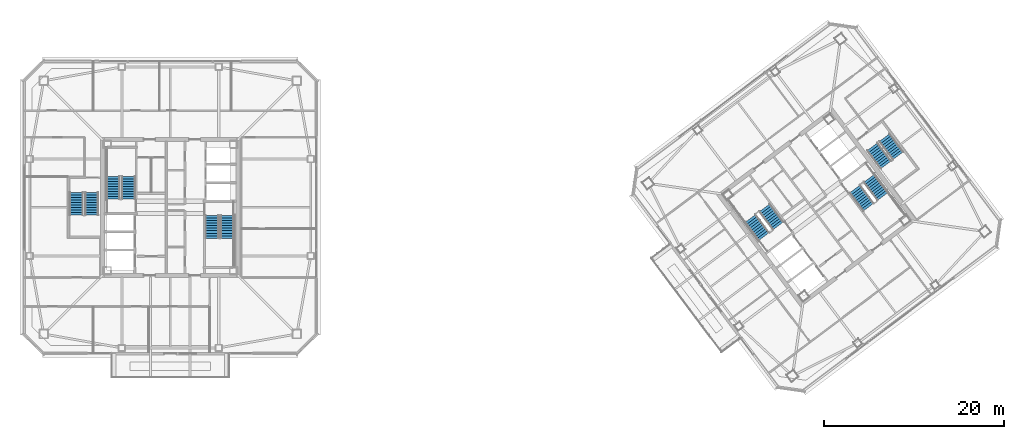
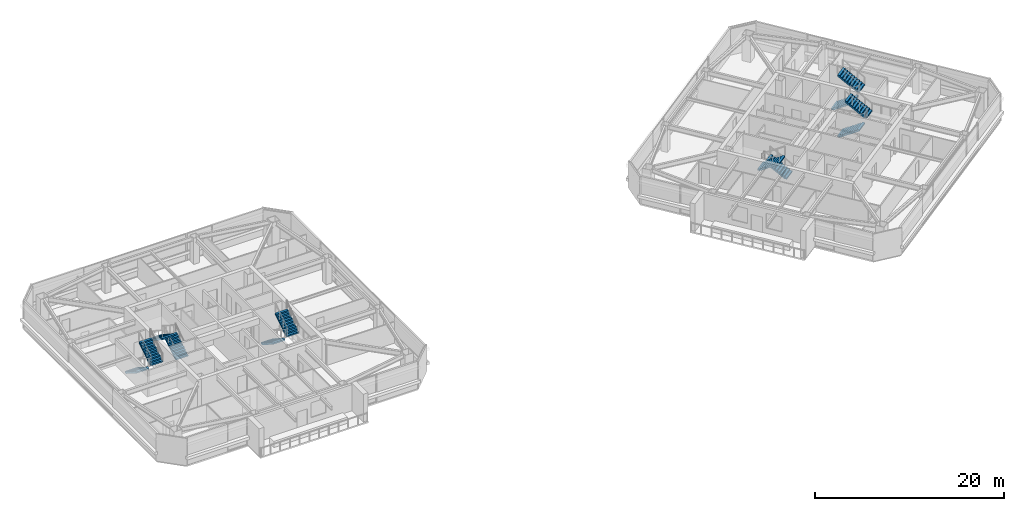
# One storey, part 33 of 39: 12 stair flights, 6 elements without a shape of their own.
"""IFC4 building model written with IfcOpenShell, lengths in metres."""

from ifc_helpers import new_model, si_unit, direction, frame, origin, place, context, subcontext, project, spatial, polyline, outline, extrude, material, type_object, element, aggregate, save


model = new_model("IFC4")

# Units and contexts
model_context = context("Model", 3, precision=1e-05, world=origin(), true_north=direction((0.0, 1.0)))
body_context = subcontext(model_context, "Body", "Model", "MODEL_VIEW")
ifc_project = project(units=[si_unit("LENGTHUNIT", "METRE"), si_unit("AREAUNIT", "SQUARE_METRE"), si_unit("VOLUMEUNIT", "CUBIC_METRE"), si_unit("PLANEANGLEUNIT", "RADIAN"), si_unit("MASSUNIT", "GRAM", prefix="KILO")], contexts=[model_context])

# Site, building, storey
site_placement = place(None, origin())
site = spatial("IfcSite", under=ifc_project, at=site_placement, CompositionType="ELEMENT")
building_placement = place(site_placement, origin())
building = spatial("IfcBuilding", under=site, at=building_placement, Name="Tashvorn Skyway Center", CompositionType="ELEMENT")
storey_placement = place(building_placement, frame((0.0, 0.0, 225.5)))
storey = spatial("IfcBuildingStorey", under=building, at=storey_placement, Name="L61", CompositionType="ELEMENT", Elevation=225.5)

# Stair, stair flights
ifc_material = material(Name="Concrete C40/50", Category="concrete")
stair_type = type_object("IfcStairType", Name="STAIR-CORE-1500", PredefinedType="HALF_TURN_STAIR", material=ifc_material)
stair_1_placement = place(storey_placement, origin())
stair_1 = element("IfcStair", 1, at=stair_1_placement, inside=storey, type_object=stair_type, Name="L61 Tower 1 Exit Stair 1", PredefinedType="HALF_TURN_STAIR")
stair_flight_type = type_object("IfcStairFlightType", Name="SFLIGHT-1500", PredefinedType="STRAIGHT", material=ifc_material)
stair_flight_1_placement = place(storey_placement, frame((37.35009765625, 32.919921875, 0.0), z_axis=(0.0, 0.0, 1.0), x_axis=(0.0, 1.0, 0.0)))
stair_flight_1 = element("IfcStairFlight", 2, at=stair_flight_1_placement, type_object=stair_flight_type, Name="ST-T1-1 flight 1", NumberOfRisers=10, NumberOfTreads=9, PredefinedType="STRAIGHT", RiserHeight=0.1775, TreadLength=0.28, context=body_context, shape_type="SweptSolid", body=[
    extrude(outline(polyline([(0.0, 0.0), (0.0, 0.177490234375), (0.280029296875, 0.177490234375), (0.280029296875, 0.35498046875), (0.56005859375, 0.35498046875), (0.56005859375, 0.532470703125), (0.840087890625, 0.532470703125), (0.840087890625, 0.7099609375), (1.1201171875, 0.7099609375), (1.1201171875, 0.887451171875), (1.39990234375, 0.887451171875), (1.39990234375, 1.06494140625), (1.679931640625, 1.06494140625), (1.679931640625, 1.242431640625), (1.9599609375, 1.242431640625), (1.9599609375, 1.419921875), (2.239990234375, 1.419921875), (2.239990234375, 1.597412109375), (2.52001953125, 1.597412109375), (2.52001953125, 1.77490234375), (2.52001953125, 1.419921875), (0.280029296875, 0.0), (0.0, 0.0)])), frame((0.0, 0.75, 0.0), z_axis=(0.0, -1.0, 0.0), x_axis=(1.0, 0.0, 0.0)), (0.0, 0.0, 1.0), 1.5),
])
stair_flight_2_placement = place(storey_placement, frame((35.64990234375, 35.43994140625, 1.77490234375), z_axis=(0.0, 0.0, 1.0), x_axis=(0.0, -1.0, 0.0)))
stair_flight_2 = element("IfcStairFlight", 3, at=stair_flight_2_placement, type_object=stair_flight_type, Name="ST-T1-1 flight 2", NumberOfRisers=10, NumberOfTreads=9, PredefinedType="STRAIGHT", RiserHeight=0.1775, TreadLength=0.28, context=body_context, shape_type="SweptSolid", body=[
    extrude(outline(polyline([(0.0, 0.0), (0.0, 0.177490234375), (0.280029296875, 0.177490234375), (0.280029296875, 0.35498046875), (0.56005859375, 0.35498046875), (0.56005859375, 0.532470703125), (0.840087890625, 0.532470703125), (0.840087890625, 0.7099609375), (1.1201171875, 0.7099609375), (1.1201171875, 0.887451171875), (1.39990234375, 0.887451171875), (1.39990234375, 1.06494140625), (1.679931640625, 1.06494140625), (1.679931640625, 1.242431640625), (1.9599609375, 1.242431640625), (1.9599609375, 1.419921875), (2.239990234375, 1.419921875), (2.239990234375, 1.597412109375), (2.52001953125, 1.597412109375), (2.52001953125, 1.77490234375), (2.52001953125, 1.419921875), (0.280029296875, 0.0), (0.0, 0.0)])), frame((0.0, 0.75, 0.0), z_axis=(0.0, -1.0, 0.0), x_axis=(1.0, 0.0, 0.0)), (0.0, 0.0, 1.0), 1.5),
])
aggregate(stair_1, [stair_flight_1, stair_flight_2])

stair_2_placement = place(storey_placement, origin())
stair_2 = element("IfcStair", 4, at=stair_2_placement, inside=storey, type_object=stair_type, Name="L61 Tower 1 Exit Stair 2", PredefinedType="HALF_TURN_STAIR")
stair_flight_3_placement = place(storey_placement, frame((46.64990234375, 31.080078125, 0.0), z_axis=(0.0, 0.0, 1.0), x_axis=(0.0, -1.0, 0.0)))
stair_flight_3 = element("IfcStairFlight", 5, at=stair_flight_3_placement, type_object=stair_flight_type, Name="ST-T1-2 flight 1", NumberOfRisers=10, NumberOfTreads=9, PredefinedType="STRAIGHT", RiserHeight=0.1775, TreadLength=0.28, context=body_context, shape_type="SweptSolid", body=[
    extrude(outline(polyline([(0.0, 0.0), (0.0, 0.177490234375), (0.280029296875, 0.177490234375), (0.280029296875, 0.35498046875), (0.56005859375, 0.35498046875), (0.56005859375, 0.532470703125), (0.840087890625, 0.532470703125), (0.840087890625, 0.7099609375), (1.1201171875, 0.7099609375), (1.1201171875, 0.887451171875), (1.39990234375, 0.887451171875), (1.39990234375, 1.06494140625), (1.679931640625, 1.06494140625), (1.679931640625, 1.242431640625), (1.9599609375, 1.242431640625), (1.9599609375, 1.419921875), (2.239990234375, 1.419921875), (2.239990234375, 1.597412109375), (2.52001953125, 1.597412109375), (2.52001953125, 1.77490234375), (2.52001953125, 1.419921875), (0.280029296875, 0.0), (0.0, 0.0)])), frame((0.0, 0.75, 0.0), z_axis=(0.0, -1.0, 0.0), x_axis=(1.0, 0.0, 0.0)), (0.0, 0.0, 1.0), 1.5),
])
stair_flight_4_placement = place(storey_placement, frame((48.35009765625, 28.56005859375, 1.77490234375), z_axis=(0.0, 0.0, 1.0), x_axis=(0.0, 1.0, 0.0)))
stair_flight_4 = element("IfcStairFlight", 6, at=stair_flight_4_placement, type_object=stair_flight_type, Name="ST-T1-2 flight 2", NumberOfRisers=10, NumberOfTreads=9, PredefinedType="STRAIGHT", RiserHeight=0.1775, TreadLength=0.28, context=body_context, shape_type="SweptSolid", body=[
    extrude(outline(polyline([(0.0, 0.0), (0.0, 0.177490234375), (0.280029296875, 0.177490234375), (0.280029296875, 0.35498046875), (0.56005859375, 0.35498046875), (0.56005859375, 0.532470703125), (0.840087890625, 0.532470703125), (0.840087890625, 0.7099609375), (1.1201171875, 0.7099609375), (1.1201171875, 0.887451171875), (1.39990234375, 0.887451171875), (1.39990234375, 1.06494140625), (1.679931640625, 1.06494140625), (1.679931640625, 1.242431640625), (1.9599609375, 1.242431640625), (1.9599609375, 1.419921875), (2.239990234375, 1.419921875), (2.239990234375, 1.597412109375), (2.52001953125, 1.597412109375), (2.52001953125, 1.77490234375), (2.52001953125, 1.419921875), (0.280029296875, 0.0), (0.0, 0.0)])), frame((0.0, 0.75, 0.0), z_axis=(0.0, -1.0, 0.0), x_axis=(1.0, 0.0, 0.0)), (0.0, 0.0, 1.0), 1.5),
])
aggregate(stair_2, [stair_flight_3, stair_flight_4])

stair_3_placement = place(storey_placement, origin())
stair_3 = element("IfcStair", 7, at=stair_3_placement, inside=storey, type_object=stair_type, Name="L61 Tower 2 Exit Stair 1", PredefinedType="HALF_TURN_STAIR")
stair_flight_5_placement = place(storey_placement, frame((109.72802734375, 29.946044921875, 0.0), z_axis=(0.0, 0.0, 1.0), x_axis=(-0.600000004945, 0.799999996291, 0.0)))
stair_flight_5 = element("IfcStairFlight", 8, at=stair_flight_5_placement, type_object=stair_flight_type, Name="ST-T2-1 flight 1", NumberOfRisers=10, NumberOfTreads=9, PredefinedType="STRAIGHT", RiserHeight=0.1775, TreadLength=0.28, context=body_context, shape_type="SweptSolid", body=[
    extrude(outline(polyline([(0.0, 0.0), (0.0, 0.177490234375), (0.280029296875, 0.177490234375), (0.280029296875, 0.35498046875), (0.56005859375, 0.35498046875), (0.56005859375, 0.532470703125), (0.840087890625, 0.532470703125), (0.840087890625, 0.7099609375), (1.1201171875, 0.7099609375), (1.1201171875, 0.887451171875), (1.39990234375, 0.887451171875), (1.39990234375, 1.06494140625), (1.679931640625, 1.06494140625), (1.679931640625, 1.242431640625), (1.9599609375, 1.242431640625), (1.9599609375, 1.419921875), (2.239990234375, 1.419921875), (2.239990234375, 1.597412109375), (2.52001953125, 1.597412109375), (2.52001953125, 1.77490234375), (2.52001953125, 1.419921875), (0.280029296875, 0.0), (0.0, 0.0)])), frame((0.0, 0.75, 0.0), z_axis=(0.0, -1.0, 0.0), x_axis=(1.0, 0.0, 0.0)), (0.0, 0.0, 1.0), 1.5),
])
stair_flight_6_placement = place(storey_placement, frame((106.632080078125, 30.77392578125, 1.77490234375), z_axis=(0.0, 0.0, 1.0), x_axis=(0.600000004945, -0.799999996291, 0.0)))
stair_flight_6 = element("IfcStairFlight", 9, at=stair_flight_6_placement, type_object=stair_flight_type, Name="ST-T2-1 flight 2", NumberOfRisers=10, NumberOfTreads=9, PredefinedType="STRAIGHT", RiserHeight=0.1775, TreadLength=0.28, context=body_context, shape_type="SweptSolid", body=[
    extrude(outline(polyline([(0.0, 0.0), (0.0, 0.177490234375), (0.280029296875, 0.177490234375), (0.280029296875, 0.35498046875), (0.56005859375, 0.35498046875), (0.56005859375, 0.532470703125), (0.840087890625, 0.532470703125), (0.840087890625, 0.7099609375), (1.1201171875, 0.7099609375), (1.1201171875, 0.887451171875), (1.39990234375, 0.887451171875), (1.39990234375, 1.06494140625), (1.679931640625, 1.06494140625), (1.679931640625, 1.242431640625), (1.9599609375, 1.242431640625), (1.9599609375, 1.419921875), (2.239990234375, 1.419921875), (2.239990234375, 1.597412109375), (2.52001953125, 1.597412109375), (2.52001953125, 1.77490234375), (2.52001953125, 1.419921875), (0.280029296875, 0.0), (0.0, 0.0)])), frame((0.0, 0.75, 0.0), z_axis=(0.0, -1.0, 0.0), x_axis=(1.0, 0.0, 0.0)), (0.0, 0.0, 1.0), 1.5),
])
aggregate(stair_3, [stair_flight_5, stair_flight_6])

stair_4_placement = place(storey_placement, origin())
stair_4 = element("IfcStair", 10, at=stair_4_placement, inside=storey, type_object=stair_type, Name="L61 Tower 2 Exit Stair 2", PredefinedType="HALF_TURN_STAIR")
stair_flight_7_placement = place(storey_placement, frame((118.27197265625, 34.053955078125, 0.0), z_axis=(0.0, 0.0, 1.0), x_axis=(0.600000004945, -0.799999996291, 0.0)))
stair_flight_7 = element("IfcStairFlight", 11, at=stair_flight_7_placement, type_object=stair_flight_type, Name="ST-T2-2 flight 1", NumberOfRisers=10, NumberOfTreads=9, PredefinedType="STRAIGHT", RiserHeight=0.1775, TreadLength=0.28, context=body_context, shape_type="SweptSolid", body=[
    extrude(outline(polyline([(0.0, 0.0), (0.0, 0.177490234375), (0.280029296875, 0.177490234375), (0.280029296875, 0.35498046875), (0.56005859375, 0.35498046875), (0.56005859375, 0.532470703125), (0.840087890625, 0.532470703125), (0.840087890625, 0.7099609375), (1.1201171875, 0.7099609375), (1.1201171875, 0.887451171875), (1.39990234375, 0.887451171875), (1.39990234375, 1.06494140625), (1.679931640625, 1.06494140625), (1.679931640625, 1.242431640625), (1.9599609375, 1.242431640625), (1.9599609375, 1.419921875), (2.239990234375, 1.419921875), (2.239990234375, 1.597412109375), (2.52001953125, 1.597412109375), (2.52001953125, 1.77490234375), (2.52001953125, 1.419921875), (0.280029296875, 0.0), (0.0, 0.0)])), frame((0.0, 0.75, 0.0), z_axis=(0.0, -1.0, 0.0), x_axis=(1.0, 0.0, 0.0)), (0.0, 0.0, 1.0), 1.5),
])
stair_flight_8_placement = place(storey_placement, frame((121.367919921875, 33.22607421875, 1.77490234375), z_axis=(0.0, 0.0, 1.0), x_axis=(-0.600000004945, 0.799999996291, 0.0)))
stair_flight_8 = element("IfcStairFlight", 12, at=stair_flight_8_placement, type_object=stair_flight_type, Name="ST-T2-2 flight 2", NumberOfRisers=10, NumberOfTreads=9, PredefinedType="STRAIGHT", RiserHeight=0.1775, TreadLength=0.28, context=body_context, shape_type="SweptSolid", body=[
    extrude(outline(polyline([(0.0, 0.0), (0.0, 0.177490234375), (0.280029296875, 0.177490234375), (0.280029296875, 0.35498046875), (0.56005859375, 0.35498046875), (0.56005859375, 0.532470703125), (0.840087890625, 0.532470703125), (0.840087890625, 0.7099609375), (1.1201171875, 0.7099609375), (1.1201171875, 0.887451171875), (1.39990234375, 0.887451171875), (1.39990234375, 1.06494140625), (1.679931640625, 1.06494140625), (1.679931640625, 1.242431640625), (1.9599609375, 1.242431640625), (1.9599609375, 1.419921875), (2.239990234375, 1.419921875), (2.239990234375, 1.597412109375), (2.52001953125, 1.597412109375), (2.52001953125, 1.77490234375), (2.52001953125, 1.419921875), (0.280029296875, 0.0), (0.0, 0.0)])), frame((0.0, 0.75, 0.0), z_axis=(0.0, -1.0, 0.0), x_axis=(1.0, 0.0, 0.0)), (0.0, 0.0, 1.0), 1.5),
])
aggregate(stair_4, [stair_flight_7, stair_flight_8])

stair_5_placement = place(storey_placement, origin())
stair_5 = element("IfcStair", 13, at=stair_5_placement, inside=storey, type_object=stair_type, Name="L61 Tower 1 Exit Stair 3", PredefinedType="HALF_TURN_STAIR")
stair_flight_9_placement = place(storey_placement, frame((31.550048828125, 33.679931640625, 0.0), z_axis=(0.0, 0.0, 1.0), x_axis=(0.0, -1.0, 0.0)))
stair_flight_9 = element("IfcStairFlight", 14, at=stair_flight_9_placement, type_object=stair_flight_type, Name="ST-T1-3 flight 1", NumberOfRisers=10, NumberOfTreads=9, PredefinedType="STRAIGHT", RiserHeight=0.1775, TreadLength=0.28, context=body_context, shape_type="SweptSolid", body=[
    extrude(outline(polyline([(0.0, 0.0), (0.0, 0.177490234375), (0.280029296875, 0.177490234375), (0.280029296875, 0.35498046875), (0.56005859375, 0.35498046875), (0.56005859375, 0.532470703125), (0.840087890625, 0.532470703125), (0.840087890625, 0.7099609375), (1.1201171875, 0.7099609375), (1.1201171875, 0.887451171875), (1.39990234375, 0.887451171875), (1.39990234375, 1.06494140625), (1.679931640625, 1.06494140625), (1.679931640625, 1.242431640625), (1.9599609375, 1.242431640625), (1.9599609375, 1.419921875), (2.239990234375, 1.419921875), (2.239990234375, 1.597412109375), (2.52001953125, 1.597412109375), (2.52001953125, 1.77490234375), (2.52001953125, 1.419921875), (0.280029296875, 0.0), (0.0, 0.0)])), frame((0.0, 0.75, 0.0), z_axis=(0.0, -1.0, 0.0), x_axis=(1.0, 0.0, 0.0)), (0.0, 0.0, 1.0), 1.5),
])
stair_flight_10_placement = place(storey_placement, frame((33.25, 31.159912109375, 1.77490234375), z_axis=(0.0, 0.0, 1.0), x_axis=(0.0, 1.0, 0.0)))
stair_flight_10 = element("IfcStairFlight", 15, at=stair_flight_10_placement, type_object=stair_flight_type, Name="ST-T1-3 flight 2", NumberOfRisers=10, NumberOfTreads=9, PredefinedType="STRAIGHT", RiserHeight=0.1775, TreadLength=0.28, context=body_context, shape_type="SweptSolid", body=[
    extrude(outline(polyline([(0.0, 0.0), (0.0, 0.177490234375), (0.280029296875, 0.177490234375), (0.280029296875, 0.35498046875), (0.56005859375, 0.35498046875), (0.56005859375, 0.532470703125), (0.840087890625, 0.532470703125), (0.840087890625, 0.7099609375), (1.1201171875, 0.7099609375), (1.1201171875, 0.887451171875), (1.39990234375, 0.887451171875), (1.39990234375, 1.06494140625), (1.679931640625, 1.06494140625), (1.679931640625, 1.242431640625), (1.9599609375, 1.242431640625), (1.9599609375, 1.419921875), (2.239990234375, 1.419921875), (2.239990234375, 1.597412109375), (2.52001953125, 1.597412109375), (2.52001953125, 1.77490234375), (2.52001953125, 1.419921875), (0.280029296875, 0.0), (0.0, 0.0)])), frame((0.0, 0.75, 0.0), z_axis=(0.0, -1.0, 0.0), x_axis=(1.0, 0.0, 0.0)), (0.0, 0.0, 1.0), 1.5),
])
aggregate(stair_5, [stair_flight_9, stair_flight_10])

stair_6_placement = place(storey_placement, origin())
stair_6 = element("IfcStair", 16, at=stair_6_placement, inside=storey, type_object=stair_type, Name="L61 Tower 2 Exit Stair 3", PredefinedType="HALF_TURN_STAIR")
stair_flight_11_placement = place(storey_placement, frame((120.216064453125, 38.761962890625, 0.0), z_axis=(0.0, 0.0, 1.0), x_axis=(0.600000004945, -0.799999996291, 0.0)))
stair_flight_11 = element("IfcStairFlight", 17, at=stair_flight_11_placement, type_object=stair_flight_type, Name="ST-T2-3 flight 1", NumberOfRisers=10, NumberOfTreads=9, PredefinedType="STRAIGHT", RiserHeight=0.1775, TreadLength=0.28, context=body_context, shape_type="SweptSolid", body=[
    extrude(outline(polyline([(0.0, 0.0), (0.0, 0.177490234375), (0.280029296875, 0.177490234375), (0.280029296875, 0.35498046875), (0.56005859375, 0.35498046875), (0.56005859375, 0.532470703125), (0.840087890625, 0.532470703125), (0.840087890625, 0.7099609375), (1.1201171875, 0.7099609375), (1.1201171875, 0.887451171875), (1.39990234375, 0.887451171875), (1.39990234375, 1.06494140625), (1.679931640625, 1.06494140625), (1.679931640625, 1.242431640625), (1.9599609375, 1.242431640625), (1.9599609375, 1.419921875), (2.239990234375, 1.419921875), (2.239990234375, 1.597412109375), (2.52001953125, 1.597412109375), (2.52001953125, 1.77490234375), (2.52001953125, 1.419921875), (0.280029296875, 0.0), (0.0, 0.0)])), frame((0.0, 0.75, 0.0), z_axis=(0.0, -1.0, 0.0), x_axis=(1.0, 0.0, 0.0)), (0.0, 0.0, 1.0), 1.5),
])
stair_flight_12_placement = place(storey_placement, frame((123.087890625, 37.76611328125, 1.77490234375), z_axis=(0.0, 0.0, 1.0), x_axis=(-0.600000004945, 0.799999996291, 0.0)))
stair_flight_12 = element("IfcStairFlight", 18, at=stair_flight_12_placement, type_object=stair_flight_type, Name="ST-T2-3 flight 2", NumberOfRisers=10, NumberOfTreads=9, PredefinedType="STRAIGHT", RiserHeight=0.1775, TreadLength=0.28, context=body_context, shape_type="SweptSolid", body=[
    extrude(outline(polyline([(0.0, 0.0), (0.0, 0.177490234375), (0.280029296875, 0.177490234375), (0.280029296875, 0.35498046875), (0.56005859375, 0.35498046875), (0.56005859375, 0.532470703125), (0.840087890625, 0.532470703125), (0.840087890625, 0.7099609375), (1.1201171875, 0.7099609375), (1.1201171875, 0.887451171875), (1.39990234375, 0.887451171875), (1.39990234375, 1.06494140625), (1.679931640625, 1.06494140625), (1.679931640625, 1.242431640625), (1.9599609375, 1.242431640625), (1.9599609375, 1.419921875), (2.239990234375, 1.419921875), (2.239990234375, 1.597412109375), (2.52001953125, 1.597412109375), (2.52001953125, 1.77490234375), (2.52001953125, 1.419921875), (0.280029296875, 0.0), (0.0, 0.0)])), frame((0.0, 0.75, 0.0), z_axis=(0.0, -1.0, 0.0), x_axis=(1.0, 0.0, 0.0)), (0.0, 0.0, 1.0), 1.5),
])
aggregate(stair_6, [stair_flight_11, stair_flight_12])

save(model, "model.ifc")
